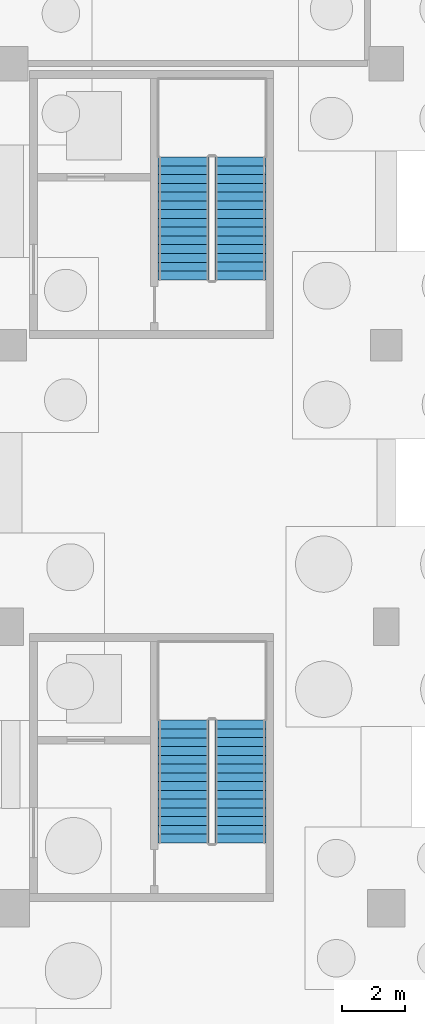
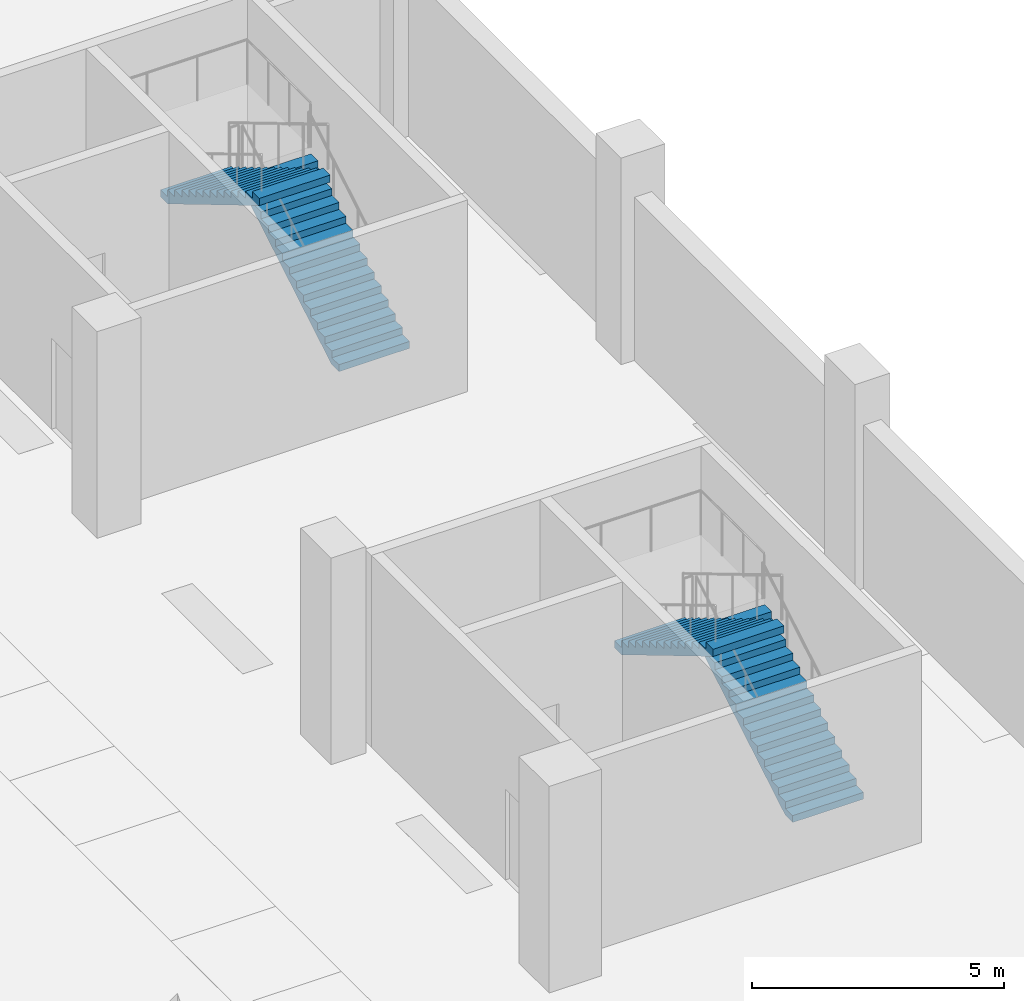
# One storey, part 23 of 37: 4 stair flights, 2 elements without a shape of their own.
"""IFC4 building model written with IfcOpenShell, lengths in metres."""

from ifc_helpers import new_model, si_unit, direction, frame, origin, place, context, subcontext, project, spatial, polyline, outline, extrude, material, type_object, element, aggregate, save


model = new_model("IFC4")

# Units and contexts
model_context = context("Model", 3, precision=1e-05, world=origin(), true_north=direction((0.0, 1.0)))
body_context = subcontext(model_context, "Body", "Model", "MODEL_VIEW")
ifc_project = project(units=[si_unit("LENGTHUNIT", "METRE"), si_unit("AREAUNIT", "SQUARE_METRE"), si_unit("VOLUMEUNIT", "CUBIC_METRE"), si_unit("PLANEANGLEUNIT", "RADIAN"), si_unit("MASSUNIT", "GRAM", prefix="KILO")], contexts=[model_context])

# Site, building, storey
site_placement = place(None, origin())
site = spatial("IfcSite", under=ifc_project, at=site_placement, CompositionType="ELEMENT")
building_placement = place(site_placement, origin())
building = spatial("IfcBuilding", under=site, at=building_placement, Name="Barlavento Convention Centre", CompositionType="ELEMENT")
storey_placement = place(building_placement, frame((0.0, 0.0, -5.0)))
storey = spatial("IfcBuildingStorey", under=building, at=storey_placement, Name="B1", CompositionType="ELEMENT", Elevation=-5.0)

# Stair, stair flights
ifc_material = material(Name="Concrete C40/50", Category="concrete")
stair_type = type_object("IfcStairType", Name="ARC-STR-DOG-1620", PredefinedType="HALF_TURN_STAIR", material=ifc_material)
stair_1_placement = place(storey_placement, origin())
stair_1 = element("IfcStair", 1, at=stair_1_placement, inside=storey, type_object=stair_type, Name="B1 ST07", PredefinedType="HALF_TURN_STAIR")
stair_flight_type = type_object("IfcStairFlightType", Name="ARC-FLT-STR-1620", PredefinedType="STRAIGHT", material=ifc_material)
stair_flight_1_placement = place(storey_placement, frame((187.340087890625, 74.090087890625, 0.0), z_axis=(0.0, 0.0, 1.0), x_axis=(0.0, 1.0, 0.0)))
stair_flight_1 = element("IfcStairFlight", 2, at=stair_flight_1_placement, type_object=stair_flight_type, Name="ST07 flight 1", NumberOfRisers=15, NumberOfTreads=14, PredefinedType="STRAIGHT", RiserHeight=0.166666667, TreadLength=0.28, context=body_context, shape_type="SweptSolid", body=[
    extrude(outline(polyline([(0.0, 0.0), (0.0, 0.166748046875), (0.280029296875, 0.166748046875), (0.280029296875, 0.333251953125), (0.56005859375, 0.333251953125), (0.56005859375, 0.5), (0.840087890625, 0.5), (0.840087890625, 0.666748046875), (1.1201171875, 0.666748046875), (1.1201171875, 0.833251953125), (1.39990234375, 0.833251953125), (1.39990234375, 1.0), (1.679931640625, 1.0), (1.679931640625, 1.166748046875), (1.9599609375, 1.166748046875), (1.9599609375, 1.333251953125), (2.239990234375, 1.333251953125), (2.239990234375, 1.5), (2.52001953125, 1.5), (2.52001953125, 1.666748046875), (2.800048828125, 1.666748046875), (2.800048828125, 1.833251953125), (3.080078125, 1.833251953125), (3.080078125, 2.0), (3.360107421875, 2.0), (3.360107421875, 2.166748046875), (3.639892578125, 2.166748046875), (3.639892578125, 2.333251953125), (3.919921875, 2.333251953125), (3.919921875, 2.5), (3.919921875, 2.158935546875), (0.29296875, 0.0), (0.0, 0.0)])), frame((0.0, 0.81005859375, 0.0), z_axis=(0.0, -1.0, 0.0), x_axis=(1.0, 0.0, 0.0)), (0.0, 0.0, 1.0), 1.6201171875),
])
stair_flight_2_placement = place(storey_placement, frame((185.52001953125, 78.010009765625, 2.5), z_axis=(0.0, 0.0, 1.0), x_axis=(0.0, -1.0, 0.0)))
stair_flight_2 = element("IfcStairFlight", 3, at=stair_flight_2_placement, type_object=stair_flight_type, Name="ST07 flight 2", NumberOfRisers=15, NumberOfTreads=14, PredefinedType="STRAIGHT", RiserHeight=0.166666667, TreadLength=0.28, context=body_context, shape_type="SweptSolid", body=[
    extrude(outline(polyline([(0.0, 0.0), (0.0, 0.166748046875), (0.280029296875, 0.166748046875), (0.280029296875, 0.333251953125), (0.56005859375, 0.333251953125), (0.56005859375, 0.5), (0.840087890625, 0.5), (0.840087890625, 0.666748046875), (1.1201171875, 0.666748046875), (1.1201171875, 0.833251953125), (1.39990234375, 0.833251953125), (1.39990234375, 1.0), (1.679931640625, 1.0), (1.679931640625, 1.166748046875), (1.9599609375, 1.166748046875), (1.9599609375, 1.333251953125), (2.239990234375, 1.333251953125), (2.239990234375, 1.5), (2.52001953125, 1.5), (2.52001953125, 1.666748046875), (2.800048828125, 1.666748046875), (2.800048828125, 1.833251953125), (3.080078125, 1.833251953125), (3.080078125, 2.0), (3.360107421875, 2.0), (3.360107421875, 2.166748046875), (3.639892578125, 2.166748046875), (3.639892578125, 2.333251953125), (3.919921875, 2.333251953125), (3.919921875, 2.5), (3.919921875, 2.158935546875), (0.29296875, 0.0), (0.0, 0.0)])), frame((0.0, 0.81005859375, 0.0), z_axis=(0.0, -1.0, 0.0), x_axis=(1.0, 0.0, 0.0)), (0.0, 0.0, 1.0), 1.6201171875),
])
aggregate(stair_1, [stair_flight_1, stair_flight_2])

stair_2_placement = place(storey_placement, origin())
stair_2 = element("IfcStair", 4, at=stair_2_placement, inside=storey, type_object=stair_type, Name="B1 ST08", PredefinedType="HALF_TURN_STAIR")
stair_flight_3_placement = place(storey_placement, frame((187.340087890625, 92.090087890625, 0.0), z_axis=(0.0, 0.0, 1.0), x_axis=(0.0, 1.0, 0.0)))
stair_flight_3 = element("IfcStairFlight", 5, at=stair_flight_3_placement, type_object=stair_flight_type, Name="ST08 flight 1", NumberOfRisers=15, NumberOfTreads=14, PredefinedType="STRAIGHT", RiserHeight=0.166666667, TreadLength=0.28, context=body_context, shape_type="SweptSolid", body=[
    extrude(outline(polyline([(0.0, 0.0), (0.0, 0.166748046875), (0.280029296875, 0.166748046875), (0.280029296875, 0.333251953125), (0.56005859375, 0.333251953125), (0.56005859375, 0.5), (0.840087890625, 0.5), (0.840087890625, 0.666748046875), (1.1201171875, 0.666748046875), (1.1201171875, 0.833251953125), (1.39990234375, 0.833251953125), (1.39990234375, 1.0), (1.679931640625, 1.0), (1.679931640625, 1.166748046875), (1.9599609375, 1.166748046875), (1.9599609375, 1.333251953125), (2.239990234375, 1.333251953125), (2.239990234375, 1.5), (2.52001953125, 1.5), (2.52001953125, 1.666748046875), (2.800048828125, 1.666748046875), (2.800048828125, 1.833251953125), (3.080078125, 1.833251953125), (3.080078125, 2.0), (3.360107421875, 2.0), (3.360107421875, 2.166748046875), (3.639892578125, 2.166748046875), (3.639892578125, 2.333251953125), (3.919921875, 2.333251953125), (3.919921875, 2.5), (3.919921875, 2.158935546875), (0.29296875, 0.0), (0.0, 0.0)])), frame((0.0, 0.81005859375, 0.0), z_axis=(0.0, -1.0, 0.0), x_axis=(1.0, 0.0, 0.0)), (0.0, 0.0, 1.0), 1.6201171875),
])
stair_flight_4_placement = place(storey_placement, frame((185.52001953125, 96.010009765625, 2.5), z_axis=(0.0, 0.0, 1.0), x_axis=(0.0, -1.0, 0.0)))
stair_flight_4 = element("IfcStairFlight", 6, at=stair_flight_4_placement, type_object=stair_flight_type, Name="ST08 flight 2", NumberOfRisers=15, NumberOfTreads=14, PredefinedType="STRAIGHT", RiserHeight=0.166666667, TreadLength=0.28, context=body_context, shape_type="SweptSolid", body=[
    extrude(outline(polyline([(0.0, 0.0), (0.0, 0.166748046875), (0.280029296875, 0.166748046875), (0.280029296875, 0.333251953125), (0.56005859375, 0.333251953125), (0.56005859375, 0.5), (0.840087890625, 0.5), (0.840087890625, 0.666748046875), (1.1201171875, 0.666748046875), (1.1201171875, 0.833251953125), (1.39990234375, 0.833251953125), (1.39990234375, 1.0), (1.679931640625, 1.0), (1.679931640625, 1.166748046875), (1.9599609375, 1.166748046875), (1.9599609375, 1.333251953125), (2.239990234375, 1.333251953125), (2.239990234375, 1.5), (2.52001953125, 1.5), (2.52001953125, 1.666748046875), (2.800048828125, 1.666748046875), (2.800048828125, 1.833251953125), (3.080078125, 1.833251953125), (3.080078125, 2.0), (3.360107421875, 2.0), (3.360107421875, 2.166748046875), (3.639892578125, 2.166748046875), (3.639892578125, 2.333251953125), (3.919921875, 2.333251953125), (3.919921875, 2.5), (3.919921875, 2.158935546875), (0.29296875, 0.0), (0.0, 0.0)])), frame((0.0, 0.81005859375, 0.0), z_axis=(0.0, -1.0, 0.0), x_axis=(1.0, 0.0, 0.0)), (0.0, 0.0, 1.0), 1.6201171875),
])
aggregate(stair_2, [stair_flight_3, stair_flight_4])

save(model, "model.ifc")
